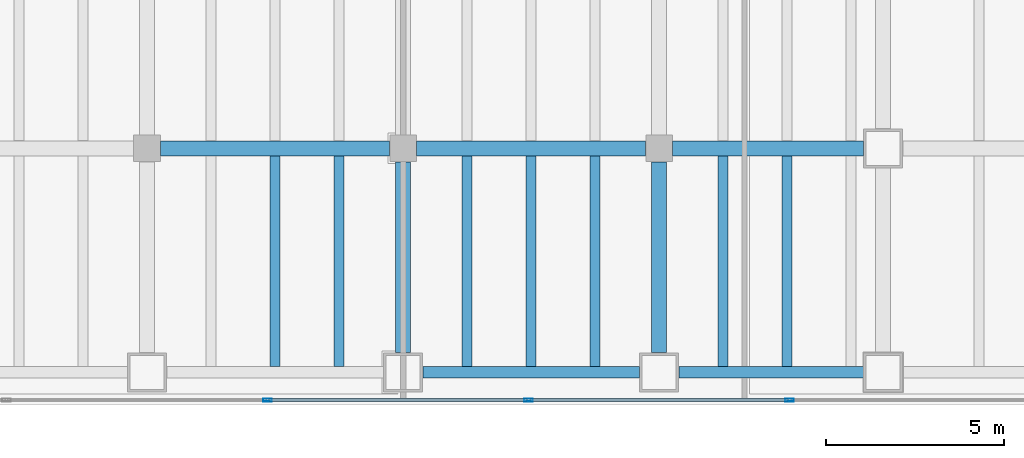
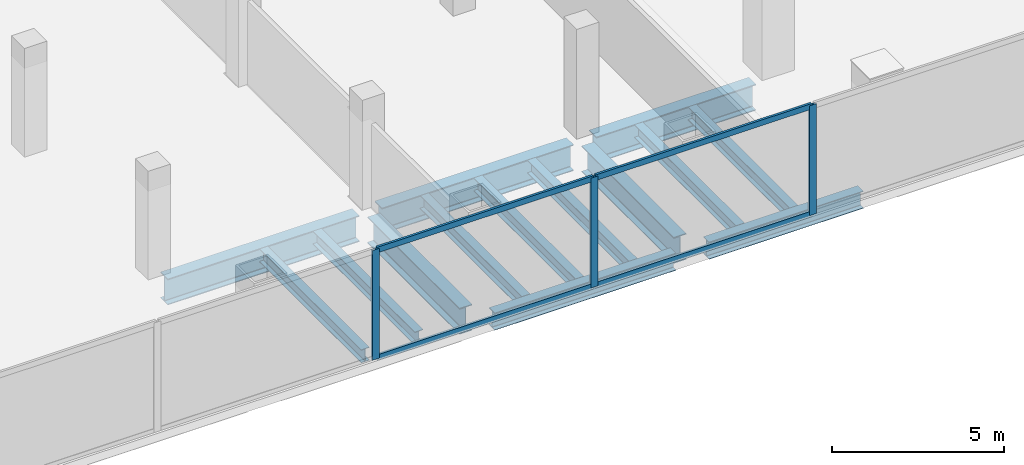
# One storey, part 5 of 32: 14 beams, 7 members, 1 element without a shape of its own.
"""IFC4 building model written with IfcOpenShell, lengths in metres."""

from ifc_helpers import new_model, si_unit, direction, frame, origin, origin_2d, place, context, subcontext, project, spatial, hollow_rectangle, i_section, extrude, material, material_profile, profile_set, type_object, element, aggregate, save


model = new_model("IFC4")

# Units and contexts
model_context = context("Model", 3, precision=1e-05, world=origin(), true_north=direction((0.0, 1.0)))
body_context = subcontext(model_context, "Body", "Model", "MODEL_VIEW")
ifc_project = project(units=[si_unit("LENGTHUNIT", "METRE"), si_unit("AREAUNIT", "SQUARE_METRE"), si_unit("VOLUMEUNIT", "CUBIC_METRE"), si_unit("PLANEANGLEUNIT", "RADIAN"), si_unit("MASSUNIT", "GRAM", prefix="KILO")], contexts=[model_context])

# Site, building, storey
site_placement = place(None, origin())
site = spatial("IfcSite", under=ifc_project, at=site_placement, CompositionType="ELEMENT")
building_placement = place(site_placement, origin())
building = spatial("IfcBuilding", under=site, at=building_placement, Name="Cobrela Telecom Tower", CompositionType="ELEMENT")
storey_placement = place(building_placement, frame((0.0, 0.0, 22.050048828125)))
storey = spatial("IfcBuildingStorey", under=building, at=storey_placement, Name="L05", CompositionType="ELEMENT", Elevation=22.050048828125)

# Beams
ifc_material_1 = material(Name="Steel ASTM A992 Grade 50", Category="steel")
ifc_material_profile_1 = material_profile(ifc_material_1, i_section(OverallWidth=0.4189453125, OverallDepth=0.927001953125, WebThickness=0.019287109375, FlangeThickness=0.031982421875, FilletRadius=0.02392578125, at=origin_2d()), Name="W36X231")
ifc_profile_set_1 = profile_set([ifc_material_profile_1], Name="Steel ASTM A992 Grade 50")
beam_type_1 = type_object("IfcBeamType", Name="BM-GIRD-02", PredefinedType="USERDEFINED", material=ifc_profile_set_1)
for number, where, z_axis, x_axis, name in (
    (1, (29.179931640625, 7.199951171875, -0.753662109375), (1.0, 0.0, 0.0), (0.0, 1.0, 0.0), "L05 Primary Girder X13"),
    (2, (36.3798828125, 7.199951171875, -0.753662109375), (1.0, 0.0, 0.0), (0.0, 1.0, 0.0), "L05 Primary Girder X14"),
):
    element("IfcBeam", number, at=place(storey_placement, frame(where, z_axis=z_axis, x_axis=x_axis)), inside=storey, type_object=beam_type_1, Name=name, ObjectType="GIRDER", PredefinedType="USERDEFINED", context=body_context, shape_type="SweptSolid", body=[
        extrude(i_section(OverallWidth=0.4189453125, OverallDepth=0.927001953125, WebThickness=0.019287109375, FlangeThickness=0.031982421875, FilletRadius=0.02392578125, at=origin_2d()), origin(), (0.0, 0.0, 1.0), 6.440185546875),
    ])
for number, where, z_axis, x_axis, name in (
    (3, (43.580078125, 7.199951171875, -0.753662109375), (1.0, 0.0, 0.0), (0.0, 1.0, 0.0), "L05 Primary Girder X15"),
    (4, (36.0, 1.455078125, -0.753662109375), (0.0, 1.0, 0.0), (-1.0, 0.0, 0.0), "L05 Primary Girder Y71"),
    (5, (43.199951171875, 1.455078125, -0.753662109375), (0.0, 1.0, 0.0), (-1.0, 0.0, 0.0), "L05 Primary Girder Y78"),
):
    element("IfcBeam", number, at=place(storey_placement, frame(where, z_axis=z_axis, x_axis=x_axis)), inside=storey, type_object=beam_type_1, Name=name, ObjectType="GIRDER", PredefinedType="USERDEFINED", context=body_context, shape_type="SweptSolid", body=[
        extrude(i_section(OverallWidth=0.4189453125, OverallDepth=0.927001953125, WebThickness=0.019287109375, FlangeThickness=0.031982421875, FilletRadius=0.02392578125, at=origin_2d()), origin(), (0.0, 0.0, 1.0), 5.364990234375),
    ])
ifc_material_profile_2 = material_profile(ifc_material_1, i_section(OverallWidth=0.281982421875, OverallDepth=0.467041015625, WebThickness=0.01220703125, FlangeThickness=0.01953125, FilletRadius=0.012939453125, at=origin_2d()), Name="W18X86")
ifc_profile_set_2 = profile_set([ifc_material_profile_2], Name="Steel ASTM A992 Grade 50")
beam_type_2 = type_object("IfcBeamType", Name="BM-JOIST-02", PredefinedType="JOIST", material=ifc_profile_set_2)
for number, where, z_axis, x_axis, name in (
    (6, (32.39990234375, 1.0673828125, -0.5234375), (0.0, 1.0, 0.0), (-1.0, 0.0, 0.0), "L05 Secondary Composite Floor Beam J58"),
    (7, (34.199951171875, 1.0673828125, -0.5234375), (0.0, 1.0, 0.0), (-1.0, 0.0, 0.0), "L05 Secondary Composite Floor Beam J63"),
    (8, (37.800048828125, 1.0673828125, -0.5234375), (0.0, 1.0, 0.0), (-1.0, 0.0, 0.0), "L05 Secondary Composite Floor Beam J70"),
    (9, (39.60009765625, 1.0673828125, -0.5234375), (0.0, 1.0, 0.0), (-1.0, 0.0, 0.0), "L05 Secondary Composite Floor Beam J77"),
    (10, (41.39990234375, 1.0673828125, -0.5234375), (0.0, 1.0, 0.0), (-1.0, 0.0, 0.0), "L05 Secondary Composite Floor Beam J84"),
    (11, (45.0, 1.0673828125, -0.5234375), (0.0, 1.0, 0.0), (-1.0, 0.0, 0.0), "L05 Secondary Composite Floor Beam J91"),
    (12, (46.800048828125, 1.0673828125, -0.5234375), (0.0, 1.0, 0.0), (-1.0, 0.0, 0.0), "L05 Secondary Composite Floor Beam J94"),
):
    element("IfcBeam", number, at=place(storey_placement, frame(where, z_axis=z_axis, x_axis=x_axis)), inside=storey, type_object=beam_type_2, Name=name, PredefinedType="JOIST", context=body_context, shape_type="SweptSolid", body=[
        extrude(i_section(OverallWidth=0.281982421875, OverallDepth=0.467041015625, WebThickness=0.01220703125, FlangeThickness=0.01953125, FilletRadius=0.012939453125, at=origin_2d()), origin(), (0.0, 0.0, 1.0), 5.918212890625),
    ])
ifc_material_profile_3 = material_profile(ifc_material_1, i_section(OverallWidth=0.324951171875, OverallDepth=0.612060546875, WebThickness=0.0126953125, FlangeThickness=0.01904296875, FilletRadius=0.014892578125, at=origin_2d()), Name="W24X104")
ifc_profile_set_3 = profile_set([ifc_material_profile_3], Name="Steel ASTM A992 Grade 50")
beam_type_3 = type_object("IfcBeamType", Name="BM-SPAND-02", PredefinedType="SPANDREL", material=ifc_profile_set_3)
beam_1_placement = place(storey_placement, frame((36.554931640625, 0.89990234375, -0.595947265625), z_axis=(1.0, 0.0, 0.0), x_axis=(0.0, 1.0, 0.0)))
element("IfcBeam", 13, at=beam_1_placement, inside=storey, type_object=beam_type_3, Name="L05 Perimeter Spandrel X04", PredefinedType="SPANDREL", context=body_context, shape_type="SweptSolid", body=[
    extrude(i_section(OverallWidth=0.324951171875, OverallDepth=0.612060546875, WebThickness=0.0126953125, FlangeThickness=0.01904296875, FilletRadius=0.014892578125, at=origin_2d()), origin(), (0.0, 0.0, 1.0), 6.090087890625),
])
beam_2_placement = place(storey_placement, frame((43.7548828125, 0.89990234375, -0.595947265625), z_axis=(1.0, 0.0, 0.0), x_axis=(0.0, 1.0, 0.0)))
element("IfcBeam", 14, at=beam_2_placement, inside=storey, type_object=beam_type_3, Name="L05 Perimeter Spandrel X05", PredefinedType="SPANDREL", context=body_context, shape_type="SweptSolid", body=[
    extrude(i_section(OverallWidth=0.324951171875, OverallDepth=0.612060546875, WebThickness=0.0126953125, FlangeThickness=0.01904296875, FilletRadius=0.014892578125, at=origin_2d()), origin(), (0.0, 0.0, 1.0), 5.190185546875),
])

# Curtain wall, members
ifc_material_2 = material(Name="Anodized Bronze Aluminium 6063-T6", Category="aluminium")
curtain_wall_type = type_object("IfcCurtainWallType", Name="CW-SYS-CONC", PredefinedType="USERDEFINED", material=ifc_material_2)
curtain_wall_placement = place(storey_placement, origin())
curtain_wall = element("IfcCurtainWall", 15, at=curtain_wall_placement, inside=storey, type_object=curtain_wall_type, Name="L05 Unitised Bronze Curtain Wall 17", ObjectType="UNITISED CURTAIN WALL", PredefinedType="USERDEFINED")
ifc_material_profile_4 = material_profile(ifc_material_2, hollow_rectangle(XDim=0.080078125, YDim=0.239990234375, WallThickness=0.0048828125, at=origin_2d()), Name="ALU 80x240x5")
ifc_profile_set_4 = profile_set([ifc_material_profile_4], Name="Anodized Bronze Aluminium 6063-T6")
member_type_1 = type_object("IfcMemberType", Name="CW-SYS-CONC-MUL", PredefinedType="MULLION", material=ifc_profile_set_4)
member_1_placement = place(storey_placement, frame((46.870849609375, 0.1201171875, 0.0), z_axis=(0.0, 0.0, 1.0), x_axis=(0.0, -1.0, 0.0)))
member_1 = element("IfcMember", 16, at=member_1_placement, type_object=member_type_1, Name="CW-CONC mullion 6", PredefinedType="MULLION", context=body_context, shape_type="SweptSolid", body=[
    extrude(hollow_rectangle(XDim=0.080078125, YDim=0.239990234375, WallThickness=0.0048828125, at=origin_2d()), origin(), (0.0, 0.0, 1.0), 3.89990234375),
])
member_2_placement = place(storey_placement, frame((39.529052734375, 0.1201171875, 0.0), z_axis=(0.0, 0.0, 1.0), x_axis=(0.0, -1.0, 0.0)))
member_2 = element("IfcMember", 17, at=member_2_placement, type_object=member_type_1, Name="CW-CONC mullion 7", PredefinedType="MULLION", context=body_context, shape_type="SweptSolid", body=[
    extrude(hollow_rectangle(XDim=0.080078125, YDim=0.239990234375, WallThickness=0.0048828125, at=origin_2d()), origin(), (0.0, 0.0, 1.0), 3.89990234375),
])
member_3_placement = place(storey_placement, frame((32.187255859375, 0.1201171875, 0.0), z_axis=(0.0, 0.0, 1.0), x_axis=(0.0, -1.0, 0.0)))
member_3 = element("IfcMember", 18, at=member_3_placement, type_object=member_type_1, Name="CW-CONC mullion 8", PredefinedType="MULLION", context=body_context, shape_type="SweptSolid", body=[
    extrude(hollow_rectangle(XDim=0.080078125, YDim=0.239990234375, WallThickness=0.0048828125, at=origin_2d()), origin(), (0.0, 0.0, 1.0), 3.89990234375),
])
ifc_material_profile_5 = material_profile(ifc_material_2, hollow_rectangle(XDim=0.080078125, YDim=0.199951171875, WallThickness=0.00390625, at=origin_2d()), Name="ALU 80x200x4")
ifc_profile_set_5 = profile_set([ifc_material_profile_5], Name="Anodized Bronze Aluminium 6063-T6")
member_type_2 = type_object("IfcMemberType", Name="CW-SYS-CONC-TRN", PredefinedType="USERDEFINED", material=ifc_profile_set_5)
member_4_placement = place(storey_placement, frame((46.830810546875, 0.1201171875, 0.0400390625), z_axis=(-1.0, 0.0, 0.0), x_axis=(0.0, -1.0, 0.0)))
member_4 = element("IfcMember", 19, at=member_4_placement, type_object=member_type_2, Name="CW-CONC transom 6.1", ObjectType="TRANSOM", PredefinedType="USERDEFINED", context=body_context, shape_type="SweptSolid", body=[
    extrude(hollow_rectangle(XDim=0.080078125, YDim=0.199951171875, WallThickness=0.00390625, at=origin_2d()), origin(), (0.0, 0.0, 1.0), 7.26171875),
])
member_5_placement = place(storey_placement, frame((46.830810546875, 0.1201171875, 3.85986328125), z_axis=(-1.0, 0.0, 0.0), x_axis=(0.0, -1.0, 0.0)))
member_5 = element("IfcMember", 20, at=member_5_placement, type_object=member_type_2, Name="CW-CONC transom 6.2", ObjectType="TRANSOM", PredefinedType="USERDEFINED", context=body_context, shape_type="SweptSolid", body=[
    extrude(hollow_rectangle(XDim=0.080078125, YDim=0.199951171875, WallThickness=0.00390625, at=origin_2d()), origin(), (0.0, 0.0, 1.0), 7.26171875),
])
member_6_placement = place(storey_placement, frame((39.489013671875, 0.1201171875, 0.0400390625), z_axis=(-1.0, 0.0, 0.0), x_axis=(0.0, -1.0, 0.0)))
member_6 = element("IfcMember", 21, at=member_6_placement, type_object=member_type_2, Name="CW-CONC transom 7.1", ObjectType="TRANSOM", PredefinedType="USERDEFINED", context=body_context, shape_type="SweptSolid", body=[
    extrude(hollow_rectangle(XDim=0.080078125, YDim=0.199951171875, WallThickness=0.00390625, at=origin_2d()), origin(), (0.0, 0.0, 1.0), 7.26171875),
])
member_7_placement = place(storey_placement, frame((39.489013671875, 0.1201171875, 3.85986328125), z_axis=(-1.0, 0.0, 0.0), x_axis=(0.0, -1.0, 0.0)))
member_7 = element("IfcMember", 22, at=member_7_placement, type_object=member_type_2, Name="CW-CONC transom 7.2", ObjectType="TRANSOM", PredefinedType="USERDEFINED", context=body_context, shape_type="SweptSolid", body=[
    extrude(hollow_rectangle(XDim=0.080078125, YDim=0.199951171875, WallThickness=0.00390625, at=origin_2d()), origin(), (0.0, 0.0, 1.0), 7.26171875),
])
aggregate(curtain_wall, [member_1, member_2, member_3, member_4, member_5, member_6, member_7])

save(model, "model.ifc")
